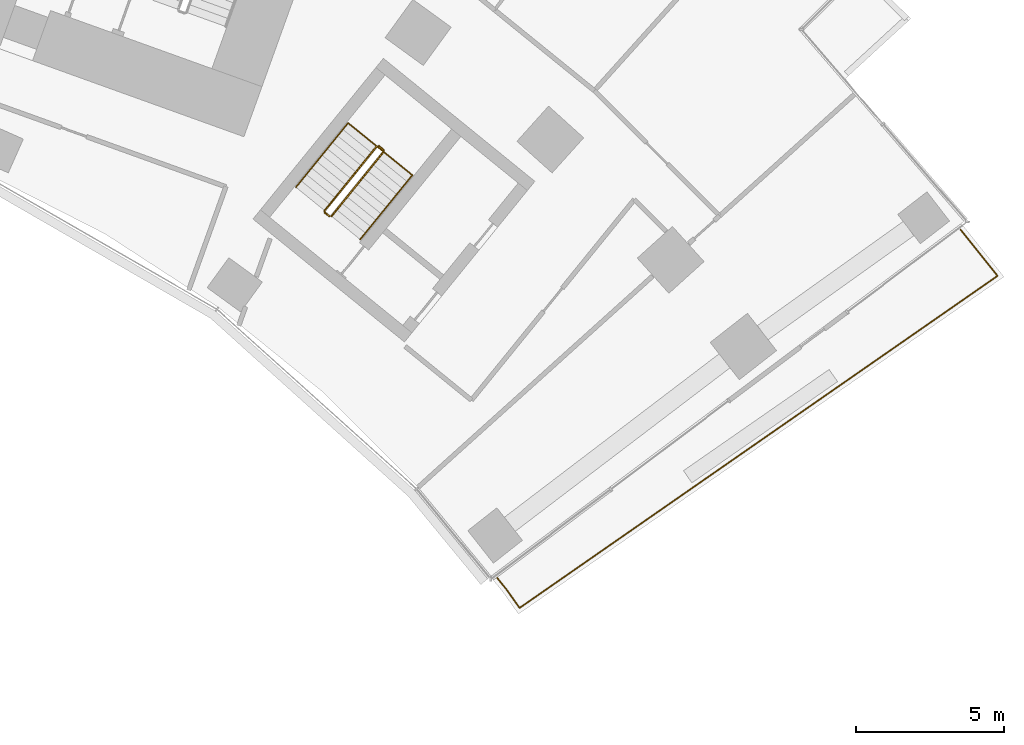
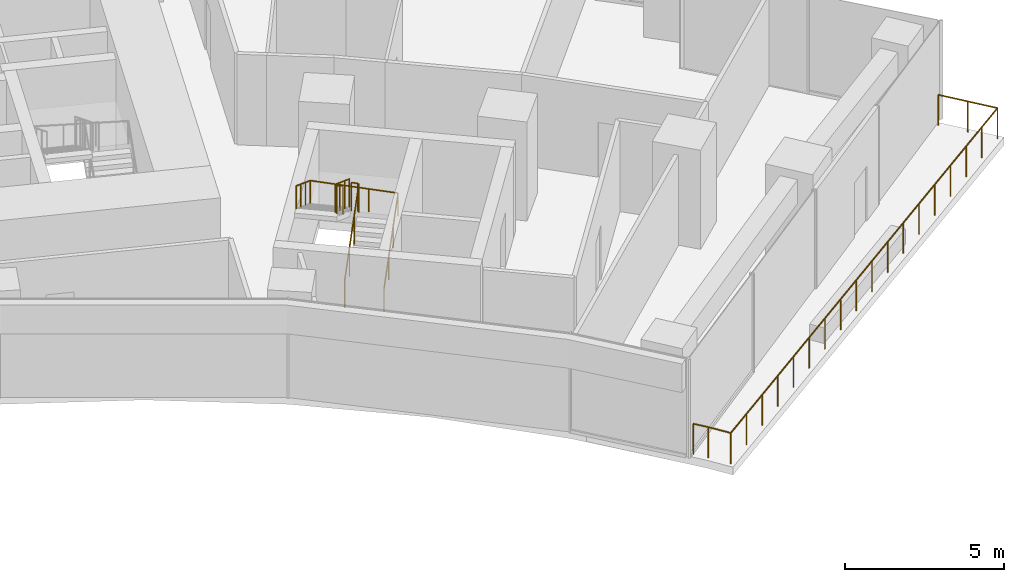
# One storey, part 21 of 21: 4 railings.
"""IFC4 building model written with IfcOpenShell, lengths in metres."""

from ifc_helpers import new_model, si_unit, direction, frame, origin, origin_2d, place, context, subcontext, project, spatial, circle, extrude, material, type_object, element, save


model = new_model("IFC4")

# Units and contexts
model_context = context("Model", 3, precision=1e-05, world=origin(), true_north=direction((0.0, 1.0)))
body_context = subcontext(model_context, "Body", "Model", "MODEL_VIEW")
ifc_project = project(units=[si_unit("LENGTHUNIT", "METRE"), si_unit("AREAUNIT", "SQUARE_METRE"), si_unit("VOLUMEUNIT", "CUBIC_METRE"), si_unit("PLANEANGLEUNIT", "RADIAN"), si_unit("MASSUNIT", "GRAM", prefix="KILO")], contexts=[model_context])

# Site, building, storey
site_placement = place(None, origin())
site = spatial("IfcSite", under=ifc_project, at=site_placement, CompositionType="ELEMENT")
building_placement = place(site_placement, origin())
building = spatial("IfcBuilding", under=site, at=building_placement, Name="Stone Belt Terrace Tower", CompositionType="ELEMENT")
storey_placement = place(building_placement, frame((0.0, 0.0, 68.0)))
storey = spatial("IfcBuildingStorey", under=building, at=storey_placement, Name="L16", CompositionType="ELEMENT", Elevation=68.0)

# Railings
ifc_material_1 = material(Name="Structural steel C345", Category="steel")
railing_type_1 = type_object("IfcRailingType", Name="Stair guard 1100", PredefinedType="GUARDRAIL", material=ifc_material_1)
railing_1_placement = place(storey_placement, frame((29.39794921875, 38.281982421875, 0.172607421875)))
element("IfcRailing", 1, at=railing_1_placement, inside=storey, type_object=railing_type_1, Name="L16 ST3B stair guard 1", PredefinedType="GUARDRAIL", context=body_context, shape_type="SweptSolid", body=[
    extrude(circle(Radius=0.02392578125, at=origin_2d()), frame((0.0, 0.0, 1.076171875), z_axis=(0.536393061503, 0.660769759217, 0.525038864158), x_axis=(-0.776391310223, 0.630251166924, 0.0)), (0.0, 0.0, 1.0), 3.289794921875),
    extrude(circle(Radius=0.02392578125, at=origin_2d()), frame((1.7646484375, 2.173828125, 2.80322265625), z_axis=(-0.103251414163, 0.994655289773, 0.0), x_axis=(-0.994655289773, -0.103251414163, 0.0)), (0.0, 0.0, 1.0), 0.071044921875),
    extrude(circle(Radius=0.02392578125, at=origin_2d()), frame((1.75732421875, 2.244384765625, 2.80322265625), z_axis=(-0.776561986372, 0.630040856868, 0.0), x_axis=(-0.630040856868, -0.776561986372, 0.0)), (0.0, 0.0, 1.0), 0.199951171875),
    extrude(circle(Radius=0.02099609375, at=origin_2d()), origin(), (0.0, 0.0, 1.0), 1.052001953125),
    extrude(circle(Radius=0.02099609375, at=origin_2d()), frame((0.588134765625, 0.724609375, 0.57568359375)), (0.0, 0.0, 1.0), 1.052001953125),
    extrude(circle(Radius=0.02099609375, at=origin_2d()), frame((1.176513671875, 1.44921875, 1.151611328125)), (0.0, 0.0, 1.0), 1.052001953125),
    extrude(circle(Radius=0.02099609375, at=origin_2d()), frame((1.7646484375, 2.173828125, 1.727294921875)), (0.0, 0.0, 1.0), 1.052001953125),
    extrude(circle(Radius=0.02099609375, at=origin_2d()), frame((1.75732421875, 2.244384765625, 1.727294921875)), (0.0, 0.0, 1.0), 1.052001953125),
    extrude(circle(Radius=0.02099609375, at=origin_2d()), frame((1.60205078125, 2.370361328125, 1.727294921875)), (0.0, 0.0, 1.0), 1.052001953125),
])
railing_2_placement = place(storey_placement, frame((30.9296875, 40.64501953125, 2.07275390625)))
element("IfcRailing", 2, at=railing_2_placement, inside=storey, type_object=railing_type_1, Name="L16 ST3B stair guard 2", PredefinedType="GUARDRAIL", context=body_context, shape_type="SweptSolid", body=[
    extrude(circle(Radius=0.02392578125, at=origin_2d()), frame((0.0, 0.0, 1.076171875), z_axis=(-0.536366759382, -0.660811565066, 0.525013118792), x_axis=(0.776425942316, -0.630208502084, 0.0)), (0.0, 0.0, 1.0), 3.2900390625),
    extrude(circle(Radius=0.02392578125, at=origin_2d()), frame((-1.7646484375, -2.174072265625, 2.80322265625), z_axis=(0.103606084259, -0.994618408891, 0.0), x_axis=(0.994618408891, 0.103606084259, 0.0)), (0.0, 0.0, 1.0), 0.07080078125),
    extrude(circle(Radius=0.02392578125, at=origin_2d()), frame((-1.75732421875, -2.244384765625, 2.80322265625), z_axis=(0.776561986372, -0.630040856868, 0.0), x_axis=(0.630040856868, 0.776561986372, 0.0)), (0.0, 0.0, 1.0), 0.199951171875),
    extrude(circle(Radius=0.02099609375, at=origin_2d()), origin(), (0.0, 0.0, 1.0), 1.052001953125),
    extrude(circle(Radius=0.02099609375, at=origin_2d()), frame((-0.588134765625, -0.724609375, 0.57568359375)), (0.0, 0.0, 1.0), 1.052001953125),
    extrude(circle(Radius=0.02099609375, at=origin_2d()), frame((-1.176513671875, -1.449462890625, 1.151611328125)), (0.0, 0.0, 1.0), 1.052001953125),
    extrude(circle(Radius=0.02099609375, at=origin_2d()), frame((-1.7646484375, -2.174072265625, 1.727294921875)), (0.0, 0.0, 1.0), 1.052001953125),
    extrude(circle(Radius=0.02099609375, at=origin_2d()), frame((-1.75732421875, -2.244384765625, 1.727294921875)), (0.0, 0.0, 1.0), 1.052001953125),
    extrude(circle(Radius=0.02099609375, at=origin_2d()), frame((-1.60205078125, -2.370361328125, 1.727294921875)), (0.0, 0.0, 1.0), 1.052001953125),
])
railing_type_2 = type_object("IfcRailingType", Name="Stair handrail 900", PredefinedType="HANDRAIL", material=ifc_material_1)
railing_3_placement = place(storey_placement, frame((30.36865234375, 37.494140625, 0.172607421875)))
element("IfcRailing", 3, at=railing_3_placement, inside=storey, type_object=railing_type_2, Name="L16 ST3B stair handrail 1", PredefinedType="HANDRAIL", context=body_context, shape_type="SweptSolid", body=[
    extrude(circle(Radius=0.02392578125, at=origin_2d()), frame((0.0, 0.0, 0.8759765625), z_axis=(0.536366759382, 0.660811565066, 0.525013118792), x_axis=(-0.776425942316, 0.630208502084, 0.0)), (0.0, 0.0, 1.0), 3.2900390625),
    extrude(circle(Radius=0.02392578125, at=origin_2d()), frame((1.7646484375, 2.174072265625, 2.60302734375), z_axis=(-0.774950814199, 0.629011171817, 0.061613158501), x_axis=(-0.630208502084, -0.776425942316, 0.0)), (0.0, 0.0, 1.0), 2.805419921875),
    extrude(circle(Radius=0.02392578125, at=origin_2d()), frame((-0.409423828125, 3.938720703125, 2.77587890625), z_axis=(-0.536366759382, -0.660811565066, 0.525013118792), x_axis=(0.776425942316, -0.630208502084, 0.0)), (0.0, 0.0, 1.0), 3.2900390625),
    extrude(circle(Radius=0.02099609375, at=origin_2d()), origin(), (0.0, 0.0, 1.0), 0.851806640625),
    extrude(circle(Radius=0.02099609375, at=origin_2d()), frame((0.588134765625, 0.724609375, 0.57568359375)), (0.0, 0.0, 1.0), 0.851806640625),
    extrude(circle(Radius=0.02099609375, at=origin_2d()), frame((1.176513671875, 1.449462890625, 1.151611328125)), (0.0, 0.0, 1.0), 0.851806640625),
    extrude(circle(Radius=0.02099609375, at=origin_2d()), frame((1.7646484375, 2.174072265625, 1.727294921875)), (0.0, 0.0, 1.0), 0.851806640625),
    extrude(circle(Radius=0.02099609375, at=origin_2d()), frame((1.0400390625, 2.76220703125, 1.784912109375)), (0.0, 0.0, 1.0), 0.851806640625),
    extrude(circle(Radius=0.02099609375, at=origin_2d()), frame((0.315185546875, 3.3505859375, 1.842529296875)), (0.0, 0.0, 1.0), 0.851806640625),
    extrude(circle(Radius=0.02099609375, at=origin_2d()), frame((-0.409423828125, 3.938720703125, 1.900146484375)), (0.0, 0.0, 1.0), 0.851806640625),
    extrude(circle(Radius=0.02099609375, at=origin_2d()), frame((-0.99755859375, 3.214111328125, 2.475830078125)), (0.0, 0.0, 1.0), 0.851806640625),
    extrude(circle(Radius=0.02099609375, at=origin_2d()), frame((-1.5859375, 2.4892578125, 3.0517578125)), (0.0, 0.0, 1.0), 0.851806640625),
    extrude(circle(Radius=0.02099609375, at=origin_2d()), frame((-2.174072265625, 1.7646484375, 3.62744140625)), (0.0, 0.0, 1.0), 0.851806640625),
])
ifc_material_2 = material(Name="Stainless steel AISI 304", Category="steel")
railing_type_3 = type_object("IfcRailingType", Name="Terrace guard 1200", PredefinedType="GUARDRAIL", material=ifc_material_2)
railing_4_placement = place(storey_placement, frame((34.990234375, 26.056396484375, 0.0)))
element("IfcRailing", 4, at=railing_4_placement, inside=storey, type_object=railing_type_3, Name="GUARD L16 1.1", PredefinedType="GUARDRAIL", context=body_context, shape_type="SweptSolid", body=[
    extrude(circle(Radius=0.02490234375, at=origin_2d()), frame((0.0, 0.0, 1.1748046875), z_axis=(0.629404426963, -0.777077902993, 0.0), x_axis=(0.777077902993, 0.629404426963, 0.0)), (0.0, 0.0, 1.0), 0.5107421875),
    extrude(circle(Radius=0.02490234375, at=origin_2d()), frame((0.321533203125, -0.39697265625, 1.1748046875), z_axis=(0.579185149536, -0.815196027074, 0.0), x_axis=(0.815196027074, 0.579185149536, 0.0)), (0.0, 0.0, 1.0), 0.77685546875),
    extrude(circle(Radius=0.02490234375, at=origin_2d()), frame((0.771484375, -1.0302734375, 1.1748046875), z_axis=(0.821267168988, 0.570543808259, 0.0), x_axis=(-0.570543808259, 0.821267168988, 0.0)), (0.0, 0.0, 1.0), 19.691162109375),
    extrude(circle(Radius=0.02490234375, at=origin_2d()), frame((16.943115234375, 10.204345703125, 1.1748046875), z_axis=(-0.624813912108, 0.780773702962, 0.0), x_axis=(-0.780773702962, -0.624813912108, 0.0)), (0.0, 0.0, 1.0), 2.003662109375),
    extrude(circle(Radius=0.02001953125, at=origin_2d()), origin(), (0.0, 0.0, 1.0), 1.14990234375),
    extrude(circle(Radius=0.02001953125, at=origin_2d()), frame((0.321533203125, -0.39697265625, 0.0)), (0.0, 0.0, 1.0), 1.14990234375),
    extrude(circle(Radius=0.02001953125, at=origin_2d()), frame((0.771484375, -1.0302734375, 0.0)), (0.0, 0.0, 1.0), 1.14990234375),
    extrude(circle(Radius=0.02001953125, at=origin_2d()), frame((1.72265625, -0.369384765625, 0.0)), (0.0, 0.0, 1.0), 1.14990234375),
    extrude(circle(Radius=0.02001953125, at=origin_2d()), frame((2.674072265625, 0.29150390625, 0.0)), (0.0, 0.0, 1.0), 1.14990234375),
    extrude(circle(Radius=0.02001953125, at=origin_2d()), frame((3.625244140625, 0.952392578125, 0.0)), (0.0, 0.0, 1.0), 1.14990234375),
    extrude(circle(Radius=0.02001953125, at=origin_2d()), frame((4.57666015625, 1.61328125, 0.0)), (0.0, 0.0, 1.0), 1.14990234375),
    extrude(circle(Radius=0.02001953125, at=origin_2d()), frame((5.52783203125, 2.27392578125, 0.0)), (0.0, 0.0, 1.0), 1.14990234375),
    extrude(circle(Radius=0.02001953125, at=origin_2d()), frame((6.47900390625, 2.934814453125, 0.0)), (0.0, 0.0, 1.0), 1.14990234375),
    extrude(circle(Radius=0.02001953125, at=origin_2d()), frame((7.430419921875, 3.595703125, 0.0)), (0.0, 0.0, 1.0), 1.14990234375),
    extrude(circle(Radius=0.02001953125, at=origin_2d()), frame((8.381591796875, 4.256591796875, 0.0)), (0.0, 0.0, 1.0), 1.14990234375),
    extrude(circle(Radius=0.02001953125, at=origin_2d()), frame((9.3330078125, 4.91748046875, 0.0)), (0.0, 0.0, 1.0), 1.14990234375),
    extrude(circle(Radius=0.02001953125, at=origin_2d()), frame((10.2841796875, 5.578369140625, 0.0)), (0.0, 0.0, 1.0), 1.14990234375),
    extrude(circle(Radius=0.02001953125, at=origin_2d()), frame((11.235595703125, 6.2392578125, 0.0)), (0.0, 0.0, 1.0), 1.14990234375),
    extrude(circle(Radius=0.02001953125, at=origin_2d()), frame((12.186767578125, 6.900146484375, 0.0)), (0.0, 0.0, 1.0), 1.14990234375),
    extrude(circle(Radius=0.02001953125, at=origin_2d()), frame((13.137939453125, 7.560791015625, 0.0)), (0.0, 0.0, 1.0), 1.14990234375),
    extrude(circle(Radius=0.02001953125, at=origin_2d()), frame((14.08935546875, 8.2216796875, 0.0)), (0.0, 0.0, 1.0), 1.14990234375),
    extrude(circle(Radius=0.02001953125, at=origin_2d()), frame((15.04052734375, 8.882568359375, 0.0)), (0.0, 0.0, 1.0), 1.14990234375),
    extrude(circle(Radius=0.02001953125, at=origin_2d()), frame((15.991943359375, 9.54345703125, 0.0)), (0.0, 0.0, 1.0), 1.14990234375),
    extrude(circle(Radius=0.02001953125, at=origin_2d()), frame((16.943115234375, 10.204345703125, 0.0)), (0.0, 0.0, 1.0), 1.14990234375),
    extrude(circle(Radius=0.02001953125, at=origin_2d()), frame((16.317138671875, 10.986572265625, 0.0)), (0.0, 0.0, 1.0), 1.14990234375),
    extrude(circle(Radius=0.02001953125, at=origin_2d()), frame((15.691162109375, 11.768798828125, 0.0)), (0.0, 0.0, 1.0), 1.14990234375),
])

save(model, "model.ifc")
